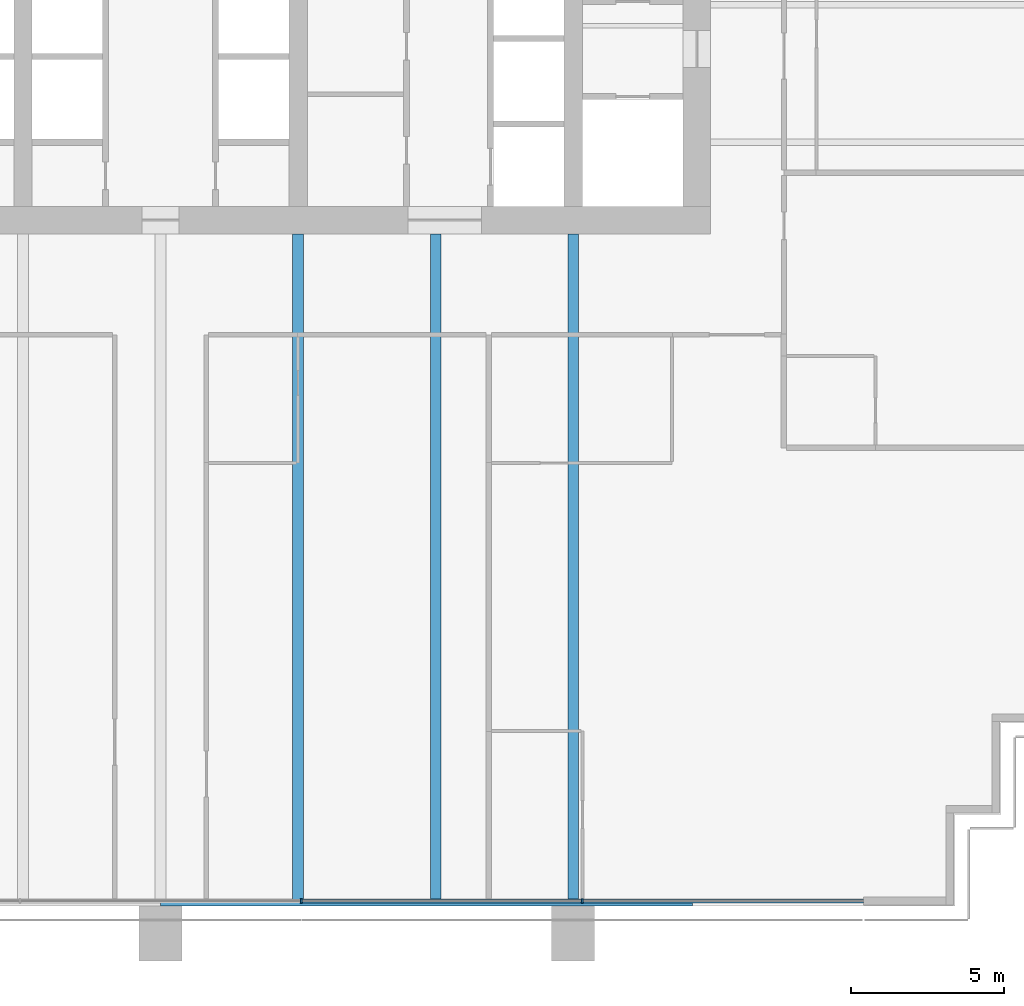
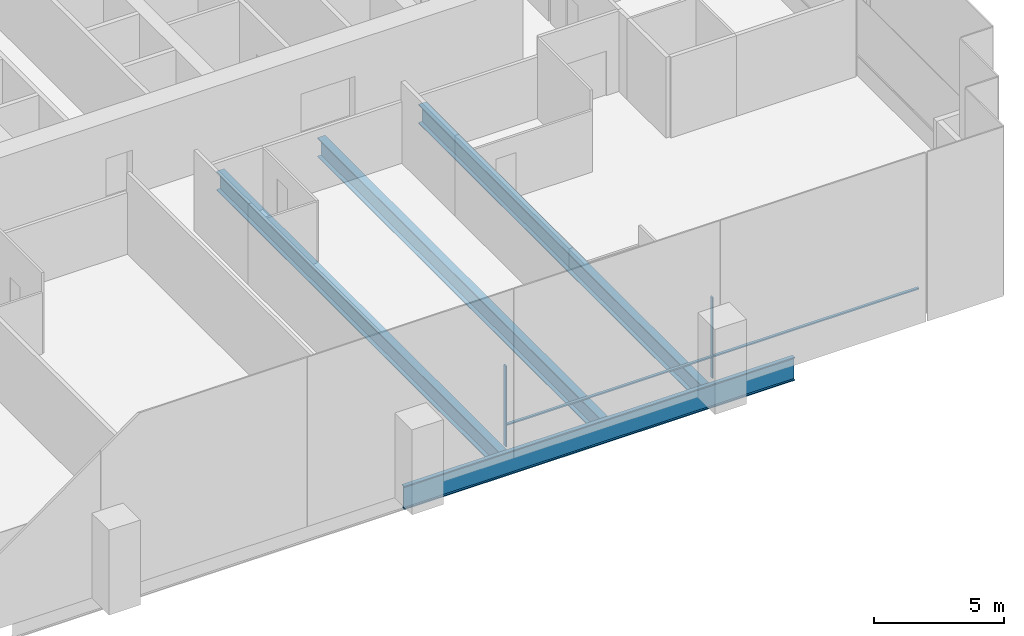
# One storey, part 5 of 16: 4 beams, 4 members, 1 element without a shape of its own.
"""IFC4 building model written with IfcOpenShell, lengths in metres."""

from ifc_helpers import new_model, si_unit, direction, frame, origin, origin_2d, place, context, subcontext, project, spatial, rectangle, i_section, extrude, material, material_profile, profile_set, type_object, element, aggregate, save


model = new_model("IFC4")

# Units and contexts
model_context = context("Model", 3, precision=1e-05, world=origin(), true_north=direction((0.0, 1.0)))
body_context = subcontext(model_context, "Body", "Model", "MODEL_VIEW")
ifc_project = project(units=[si_unit("LENGTHUNIT", "METRE"), si_unit("AREAUNIT", "SQUARE_METRE"), si_unit("VOLUMEUNIT", "CUBIC_METRE"), si_unit("PLANEANGLEUNIT", "RADIAN"), si_unit("MASSUNIT", "GRAM", prefix="KILO")], contexts=[model_context])

# Site, building, storey
site_placement = place(None, origin())
site = spatial("IfcSite", under=ifc_project, at=site_placement, CompositionType="ELEMENT")
building_placement = place(site_placement, origin())
building = spatial("IfcBuilding", under=site, at=building_placement, Name="Rattan Terrace Tower", CompositionType="ELEMENT")
storey_placement = place(building_placement, frame((0.0, 0.0, 150.10009765625)))
storey = spatial("IfcBuildingStorey", under=building, at=storey_placement, Name="L34", CompositionType="ELEMENT", Elevation=150.10009765625)

# Curtain wall, members
ifc_material_1 = material(Name="Aluminium and glass", Category="aluminium")
curtain_wall_type = type_object("IfcCurtainWallType", Name="Facade Unitised Curtain Wall", PredefinedType="NOTDEFINED", material=ifc_material_1)
curtain_wall_placement = place(storey_placement, origin())
curtain_wall = element("IfcCurtainWall", 1, at=curtain_wall_placement, inside=storey, type_object=curtain_wall_type, Name="Curtain wall L34-4", PredefinedType="NOTDEFINED")
ifc_material_2 = material(Name="Aluminium", Category="aluminium")
ifc_material_profile_1 = material_profile(ifc_material_2, rectangle(XDim=0.06005859375, YDim=0.159912109375, at=origin_2d()), Name="Aluminium 60x160")
ifc_profile_set_1 = profile_set([ifc_material_profile_1], Name="Aluminium")
member_type_1 = type_object("IfcMemberType", Name="Facade CW Mullion 60x160", PredefinedType="MULLION", material=ifc_profile_set_1)
member_1_placement = place(storey_placement, frame((4.60302734375, -29.330078125, 0.0), z_axis=(0.0, 0.0, 1.0), x_axis=(1.0, 0.0, 0.0)))
member_1 = element("IfcMember", 2, at=member_1_placement, type_object=member_type_1, Name="Mullion cwl-L34-004.4", PredefinedType="MULLION", context=body_context, shape_type="SweptSolid", body=[
    extrude(rectangle(XDim=0.06005859375, YDim=0.159912109375, at=origin_2d()), origin(), (0.0, 0.0, 1.0), 3.7998046875),
])
member_2_placement = place(storey_placement, frame((13.803955078125, -29.330078125, 0.0), z_axis=(0.0, 0.0, 1.0), x_axis=(1.0, 0.0, 0.0)))
member_2 = element("IfcMember", 3, at=member_2_placement, type_object=member_type_1, Name="Mullion cwl-L34-004.5", PredefinedType="MULLION", context=body_context, shape_type="SweptSolid", body=[
    extrude(rectangle(XDim=0.06005859375, YDim=0.159912109375, at=origin_2d()), origin(), (0.0, 0.0, 1.0), 3.7998046875),
])
ifc_material_3 = material(Name="Aluminium", Category="aluminium")
ifc_material_profile_2 = material_profile(ifc_material_3, rectangle(XDim=0.1201171875, YDim=0.06005859375, at=origin_2d()), Name="Aluminium 120x60")
ifc_profile_set_2 = profile_set([ifc_material_profile_2], Name="Aluminium")
member_type_2 = type_object("IfcMemberType", Name="Facade CW Transom 120x60", PredefinedType="USERDEFINED", material=ifc_profile_set_2)
member_3_placement = place(storey_placement, frame((4.633056640625, -29.330078125, 1.0), z_axis=(1.0, 0.0, 0.0), x_axis=(0.0, 1.0, 0.0)))
member_3 = element("IfcMember", 4, at=member_3_placement, type_object=member_type_2, Name="Transom cwl-L34-004.4", ObjectType="TRANSOM", PredefinedType="USERDEFINED", context=body_context, shape_type="SweptSolid", body=[
    extrude(rectangle(XDim=0.1201171875, YDim=0.06005859375, at=origin_2d()), origin(), (0.0, 0.0, 1.0), 9.140869140625),
])
member_4_placement = place(storey_placement, frame((13.833984375, -29.330078125, 1.0), z_axis=(1.0, 0.0, 0.0), x_axis=(0.0, 1.0, 0.0)))
member_4 = element("IfcMember", 5, at=member_4_placement, type_object=member_type_2, Name="Transom cwl-L34-004.5", ObjectType="TRANSOM", PredefinedType="USERDEFINED", context=body_context, shape_type="SweptSolid", body=[
    extrude(rectangle(XDim=0.1201171875, YDim=0.06005859375, at=origin_2d()), origin(), (0.0, 0.0, 1.0), 9.166015625),
])
aggregate(curtain_wall, [member_1, member_2, member_3, member_4])

# Beams
ifc_material_4 = material(Name="Steel S460", Category="steel")
ifc_material_profile_3 = material_profile(ifc_material_4, i_section(OverallWidth=0.179931640625, OverallDepth=1.10009765625, WebThickness=0.01611328125, FlangeThickness=0.050048828125, at=origin_2d()), Name="PG 1100x180-16-50")
ifc_profile_set_3 = profile_set([ifc_material_profile_3], Name="Steel S460")
beam_type_1 = type_object("IfcBeamType", Name="Frame edge girder PG 1100x180-16-50", PredefinedType="SPANDREL", material=ifc_profile_set_3)
beam_placement = place(storey_placement, frame((17.39990234375, -29.409912109375, -0.75), z_axis=(-1.0, 0.0, 0.0), x_axis=(0.0, -1.0, 0.0)))
element("IfcBeam", 6, at=beam_placement, inside=storey, type_object=beam_type_1, Name="gdr-L34-002", PredefinedType="SPANDREL", context=body_context, shape_type="SweptSolid", body=[
    extrude(i_section(OverallWidth=0.179931640625, OverallDepth=1.10009765625, WebThickness=0.01611328125, FlangeThickness=0.050048828125, at=origin_2d()), origin(), (0.0, 0.0, 1.0), 17.39990234375),
])
ifc_material_5 = material(Name="Steel S460", Category="steel")
ifc_material_profile_4 = material_profile(ifc_material_5, i_section(OverallWidth=0.35009765625, OverallDepth=0.89990234375, WebThickness=0.013916015625, FlangeThickness=0.0400390625, at=origin_2d()), Name="PG 900x350-14-40")
ifc_profile_set_4 = profile_set([ifc_material_profile_4], Name="Steel S460")
beam_type_2 = type_object("IfcBeamType", Name="Frame floor beam PG 900x350-14-40", PredefinedType="JOIST", material=ifc_profile_set_4)
for number, where, z_axis, x_axis, name in (
    (7, (4.5, -29.320068359375, -0.650146484375), (0.0, 1.0, 0.0), (-1.0, 0.0, 0.0), "bm-L34-007"),
    (8, (9.0, -29.320068359375, -0.650146484375), (0.0, 1.0, 0.0), (-1.0, 0.0, 0.0), "bm-L34-008"),
    (9, (13.5, -29.320068359375, -0.650146484375), (0.0, 1.0, 0.0), (-1.0, 0.0, 0.0), "bm-L34-009"),
):
    element("IfcBeam", number, at=place(storey_placement, frame(where, z_axis=z_axis, x_axis=x_axis)), inside=storey, type_object=beam_type_2, Name=name, PredefinedType="JOIST", context=body_context, shape_type="SweptSolid", body=[
        extrude(i_section(OverallWidth=0.35009765625, OverallDepth=0.89990234375, WebThickness=0.013916015625, FlangeThickness=0.0400390625, at=origin_2d()), origin(), (0.0, 0.0, 1.0), 21.820068359375),
    ])

save(model, "model.ifc")
